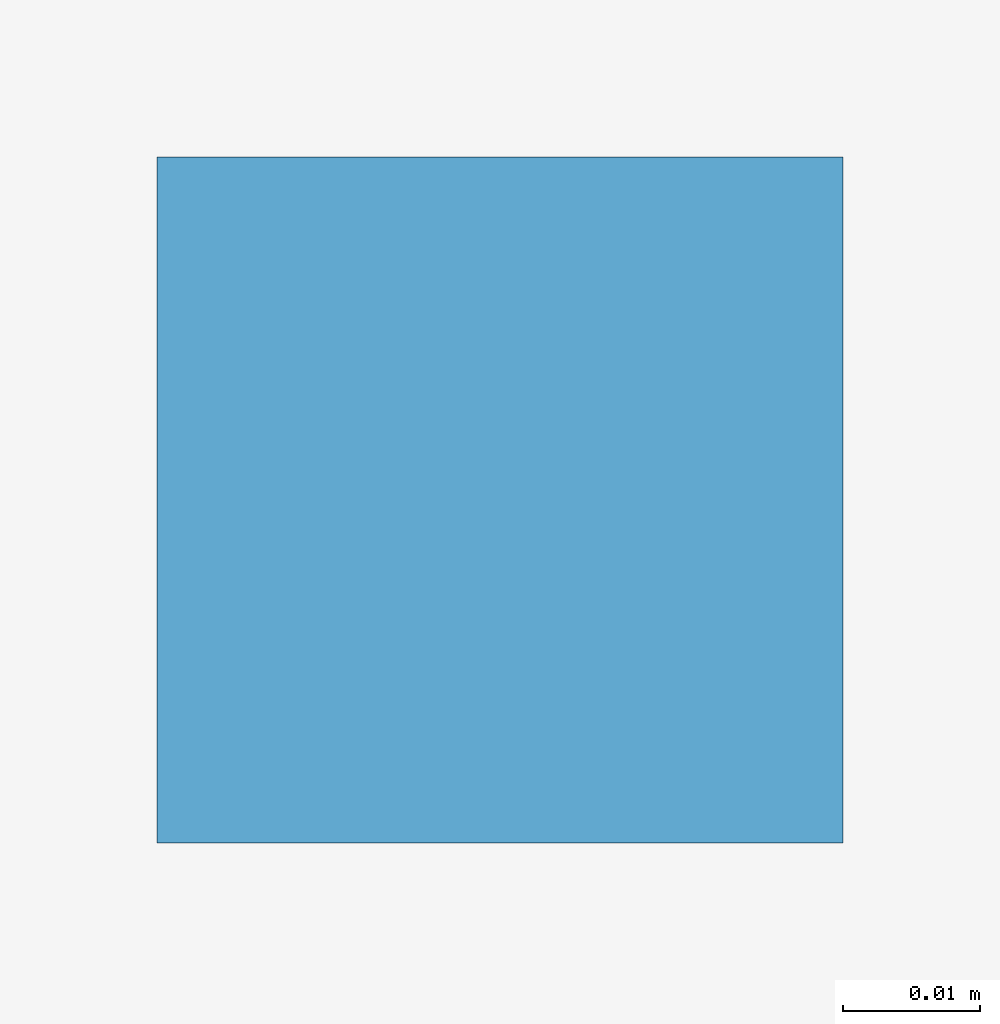
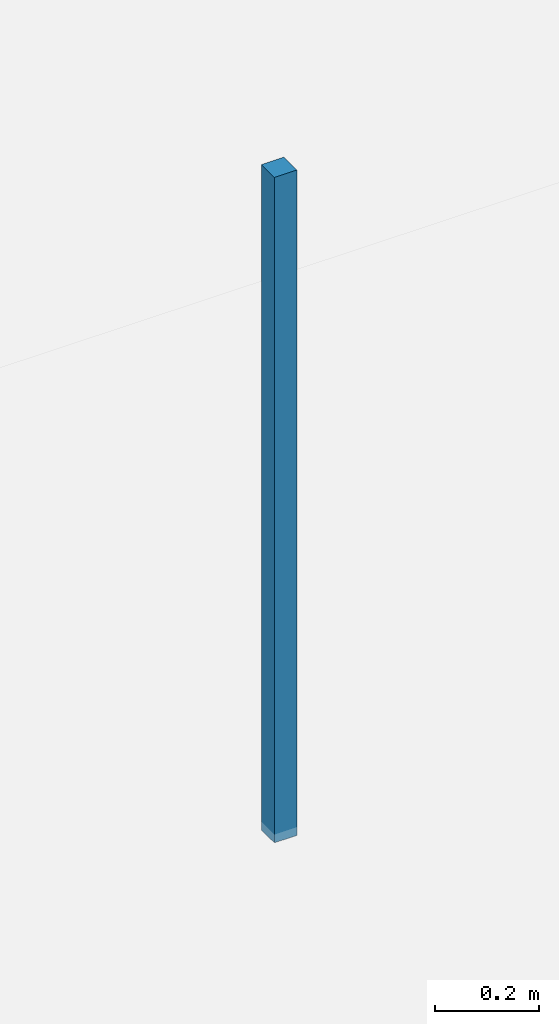
# One storey, part 43 of 56: 1 discrete accessory.
"""IFC4 building model written with IfcOpenShell, lengths in metres."""

from ifc_helpers import new_model, si_unit, direction, frame, origin, origin_2d, place, context, subcontext, project, spatial, rectangle, extrude, material, type_object, element, save


model = new_model("IFC4")

# Units and contexts
model_context = context("Model", 3, precision=1e-05, world=origin(), true_north=direction((0.0, 1.0)))
body_context = subcontext(model_context, "Body", "Model", "MODEL_VIEW")
ifc_project = project(units=[si_unit("LENGTHUNIT", "METRE"), si_unit("AREAUNIT", "SQUARE_METRE"), si_unit("VOLUMEUNIT", "CUBIC_METRE"), si_unit("PLANEANGLEUNIT", "RADIAN"), si_unit("MASSUNIT", "GRAM", prefix="KILO")], contexts=[model_context])

# Site, building, storey
site_placement = place(None, origin())
site = spatial("IfcSite", under=ifc_project, at=site_placement, CompositionType="ELEMENT")
building_placement = place(site_placement, origin())
building = spatial("IfcBuilding", under=site, at=building_placement, Name="Kazehaya Institute of Natural Sciences", CompositionType="ELEMENT")
storey_placement = place(building_placement, origin())
storey = spatial("IfcBuildingStorey", under=building, at=storey_placement, Name="L00", CompositionType="ELEMENT", Elevation=0.0)

# Discrete accessory
ifc_material = material(Name="Structural steel SN490B", Category="steel")
discrete_accessory_type = type_object("IfcDiscreteAccessoryType", Name="ACC-CLG-HGR", PredefinedType="BRACKET", material=ifc_material)
discrete_accessory_placement = place(storey_placement, frame((101.412841796875, 104.00732421875, 3.75244140625), z_axis=(0.0, 0.0, 1.0), x_axis=(1.0, 0.0, 0.0)))
element("IfcDiscreteAccessory", 1, at=discrete_accessory_placement, inside=storey, type_object=discrete_accessory_type, Name="L00 ceiling suspension hanger 13", PredefinedType="BRACKET", context=body_context, shape_type="SweptSolid", body=[
    extrude(rectangle(XDim=0.050048828125, YDim=0.050048828125, at=origin_2d()), origin(), (0.0, 0.0, 1.0), 1.5673828125),
])

save(model, "model.ifc")
